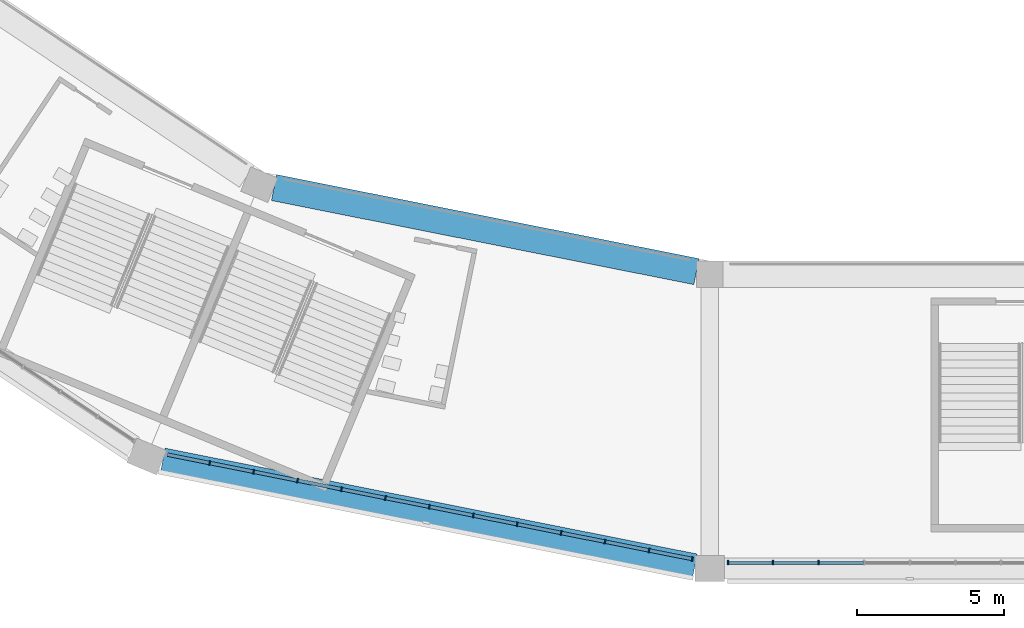
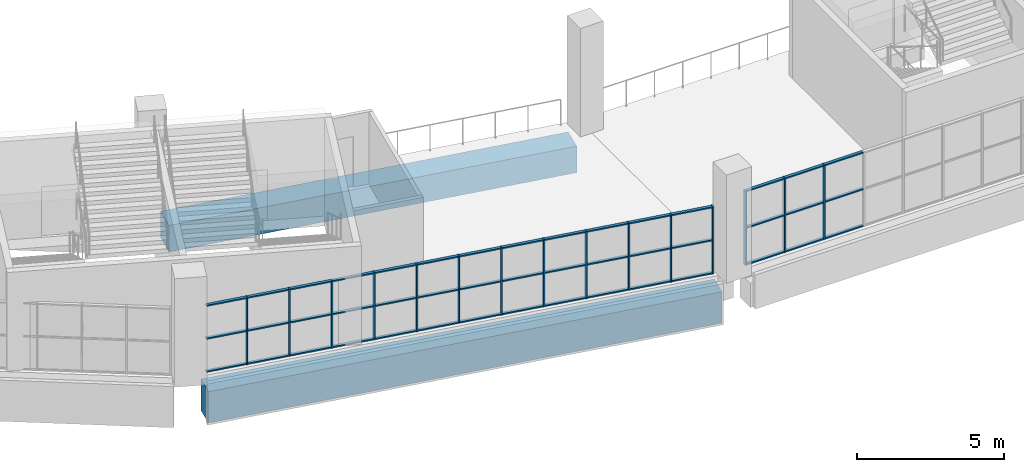
# One storey, part 5 of 177: 60 members, 2 beams, 2 elements without a shape of their own.
"""IFC4 building model written with IfcOpenShell, lengths in metres."""

from ifc_helpers import new_model, si_unit, direction, frame, origin, origin_2d, place, context, subcontext, project, spatial, rectangle, extrude, material, material_profile, profile_set, type_object, element, aggregate, save


model = new_model("IFC4")

# Units and contexts
model_context = context("Model", 3, precision=1e-05, world=origin(), true_north=direction((0.0, 1.0)))
body_context = subcontext(model_context, "Body", "Model", "MODEL_VIEW")
ifc_project = project(units=[si_unit("LENGTHUNIT", "METRE"), si_unit("AREAUNIT", "SQUARE_METRE"), si_unit("VOLUMEUNIT", "CUBIC_METRE"), si_unit("PLANEANGLEUNIT", "RADIAN"), si_unit("MASSUNIT", "GRAM", prefix="KILO")], contexts=[model_context])

# Site, building, storey
site_placement = place(None, origin())
site = spatial("IfcSite", under=ifc_project, at=site_placement, CompositionType="ELEMENT")
building_placement = place(site_placement, origin())
building = spatial("IfcBuilding", under=site, at=building_placement, Name="Ogive Plaza Stadium", CompositionType="ELEMENT")
storey_placement = place(building_placement, frame((0.0, 0.0, 18.0)))
storey = spatial("IfcBuildingStorey", under=building, at=storey_placement, Name="L04", CompositionType="ELEMENT", Elevation=18.0)

# Curtain wall, members
ifc_material_1 = material(Name="Bronze-anodised aluminium with laminated glass", Category="aluminium")
curtain_wall_type = type_object("IfcCurtainWallType", Name="Lancet curtain wall", PredefinedType="NOTDEFINED", material=ifc_material_1)
curtain_wall_1_placement = place(storey_placement, origin())
curtain_wall_1 = element("IfcCurtainWall", 1, at=curtain_wall_1_placement, inside=storey, type_object=curtain_wall_type, Name="CURTAIN WALL B16 L04", PredefinedType="NOTDEFINED")
ifc_material_2 = material(Name="Bronze-anodised aluminium", Category="aluminium")
ifc_material_profile_1 = material_profile(ifc_material_2, rectangle(XDim=0.14990234375, YDim=0.050048828125, at=origin_2d()), Name="AL 150x50")
ifc_profile_set_1 = profile_set([ifc_material_profile_1], Name="Bronze-anodised aluminium")
member_type_1 = type_object("IfcMemberType", Name="Curtain wall mullion 50x150", PredefinedType="MULLION", material=ifc_profile_set_1)
member_1_placement = place(storey_placement, frame((-30.300048828125, -102.300048828125, 0.0), z_axis=(0.0, 0.0, 1.0), x_axis=(0.0, -1.0, 0.0)))
member_1 = element("IfcMember", 2, at=member_1_placement, type_object=member_type_1, Name="CW-B16-L04 mullion 7", PredefinedType="MULLION", context=body_context, shape_type="SweptSolid", body=[
    extrude(rectangle(XDim=0.14990234375, YDim=0.050048828125, at=origin_2d()), origin(), (0.0, 0.0, 1.0), 3.090087890625),
])
member_2_placement = place(storey_placement, frame((-31.85009765625, -102.300048828125, 0.0), z_axis=(0.0, 0.0, 1.0), x_axis=(0.0, -1.0, 0.0)))
member_2 = element("IfcMember", 3, at=member_2_placement, type_object=member_type_1, Name="CW-B16-L04 mullion 8", PredefinedType="MULLION", context=body_context, shape_type="SweptSolid", body=[
    extrude(rectangle(XDim=0.14990234375, YDim=0.050048828125, at=origin_2d()), origin(), (0.0, 0.0, 1.0), 3.090087890625),
])
member_3_placement = place(storey_placement, frame((-33.375, -102.300048828125, 0.0), z_axis=(0.0, 0.0, 1.0), x_axis=(0.0, -1.0, 0.0)))
member_3 = element("IfcMember", 4, at=member_3_placement, type_object=member_type_1, Name="CW-B16-L04 mullion 9", PredefinedType="MULLION", context=body_context, shape_type="SweptSolid", body=[
    extrude(rectangle(XDim=0.14990234375, YDim=0.050048828125, at=origin_2d()), origin(), (0.0, 0.0, 1.0), 3.090087890625),
])

curtain_wall_2_placement = place(storey_placement, origin())
curtain_wall_2 = element("IfcCurtainWall", 5, at=curtain_wall_2_placement, inside=storey, type_object=curtain_wall_type, Name="CURTAIN WALL B17 L04", PredefinedType="NOTDEFINED")
member_4_placement = place(storey_placement, frame((-34.593994140625, -102.177978515625, 0.0), z_axis=(0.0, 0.0, 1.0), x_axis=(-0.195090322033, -0.9807852804, 0.0)))
member_4 = element("IfcMember", 6, at=member_4_placement, type_object=member_type_1, Name="CW-B17-L04 mullion 1", PredefinedType="MULLION", context=body_context, shape_type="SweptSolid", body=[
    extrude(rectangle(XDim=0.14990234375, YDim=0.050048828125, at=origin_2d()), origin(), (0.0, 0.0, 1.0), 2.7900390625),
])
member_5_placement = place(storey_placement, frame((-36.0625, -101.8857421875, 0.0), z_axis=(0.0, 0.0, 1.0), x_axis=(-0.195090322033, -0.9807852804, 0.0)))
member_5 = element("IfcMember", 7, at=member_5_placement, type_object=member_type_1, Name="CW-B17-L04 mullion 2", PredefinedType="MULLION", context=body_context, shape_type="SweptSolid", body=[
    extrude(rectangle(XDim=0.14990234375, YDim=0.050048828125, at=origin_2d()), origin(), (0.0, 0.0, 1.0), 2.7900390625),
])
member_6_placement = place(storey_placement, frame((-37.5556640625, -101.5888671875, 0.0), z_axis=(0.0, 0.0, 1.0), x_axis=(-0.195090322033, -0.9807852804, 0.0)))
member_6 = element("IfcMember", 8, at=member_6_placement, type_object=member_type_1, Name="CW-B17-L04 mullion 3", PredefinedType="MULLION", context=body_context, shape_type="SweptSolid", body=[
    extrude(rectangle(XDim=0.14990234375, YDim=0.050048828125, at=origin_2d()), origin(), (0.0, 0.0, 1.0), 2.7900390625),
])
member_7_placement = place(storey_placement, frame((-39.048828125, -101.291748046875, 0.0), z_axis=(0.0, 0.0, 1.0), x_axis=(-0.195090322033, -0.9807852804, 0.0)))
member_7 = element("IfcMember", 9, at=member_7_placement, type_object=member_type_1, Name="CW-B17-L04 mullion 4", PredefinedType="MULLION", context=body_context, shape_type="SweptSolid", body=[
    extrude(rectangle(XDim=0.14990234375, YDim=0.050048828125, at=origin_2d()), origin(), (0.0, 0.0, 1.0), 2.7900390625),
])
member_8_placement = place(storey_placement, frame((-40.5419921875, -100.994873046875, 0.0), z_axis=(0.0, 0.0, 1.0), x_axis=(-0.195090322033, -0.9807852804, 0.0)))
member_8 = element("IfcMember", 10, at=member_8_placement, type_object=member_type_1, Name="CW-B17-L04 mullion 5", PredefinedType="MULLION", context=body_context, shape_type="SweptSolid", body=[
    extrude(rectangle(XDim=0.14990234375, YDim=0.050048828125, at=origin_2d()), origin(), (0.0, 0.0, 1.0), 2.7900390625),
])
member_9_placement = place(storey_placement, frame((-42.034912109375, -100.69775390625, 0.0), z_axis=(0.0, 0.0, 1.0), x_axis=(-0.195090322033, -0.9807852804, 0.0)))
member_9 = element("IfcMember", 11, at=member_9_placement, type_object=member_type_1, Name="CW-B17-L04 mullion 6", PredefinedType="MULLION", context=body_context, shape_type="SweptSolid", body=[
    extrude(rectangle(XDim=0.14990234375, YDim=0.050048828125, at=origin_2d()), origin(), (0.0, 0.0, 1.0), 2.7900390625),
])
member_10_placement = place(storey_placement, frame((-43.528076171875, -100.40087890625, 0.0), z_axis=(0.0, 0.0, 1.0), x_axis=(-0.195090322033, -0.9807852804, 0.0)))
member_10 = element("IfcMember", 12, at=member_10_placement, type_object=member_type_1, Name="CW-B17-L04 mullion 7", PredefinedType="MULLION", context=body_context, shape_type="SweptSolid", body=[
    extrude(rectangle(XDim=0.14990234375, YDim=0.050048828125, at=origin_2d()), origin(), (0.0, 0.0, 1.0), 2.7900390625),
])
member_11_placement = place(storey_placement, frame((-45.021240234375, -100.103759765625, 0.0), z_axis=(0.0, 0.0, 1.0), x_axis=(-0.195090322033, -0.9807852804, 0.0)))
member_11 = element("IfcMember", 13, at=member_11_placement, type_object=member_type_1, Name="CW-B17-L04 mullion 8", PredefinedType="MULLION", context=body_context, shape_type="SweptSolid", body=[
    extrude(rectangle(XDim=0.14990234375, YDim=0.050048828125, at=origin_2d()), origin(), (0.0, 0.0, 1.0), 2.7900390625),
])
member_12_placement = place(storey_placement, frame((-46.51416015625, -99.806884765625, 0.0), z_axis=(0.0, 0.0, 1.0), x_axis=(-0.195090322033, -0.9807852804, 0.0)))
member_12 = element("IfcMember", 14, at=member_12_placement, type_object=member_type_1, Name="CW-B17-L04 mullion 9", PredefinedType="MULLION", context=body_context, shape_type="SweptSolid", body=[
    extrude(rectangle(XDim=0.14990234375, YDim=0.050048828125, at=origin_2d()), origin(), (0.0, 0.0, 1.0), 2.7900390625),
])
member_13_placement = place(storey_placement, frame((-48.00732421875, -99.509765625, 0.0), z_axis=(0.0, 0.0, 1.0), x_axis=(-0.195090322033, -0.9807852804, 0.0)))
member_13 = element("IfcMember", 15, at=member_13_placement, type_object=member_type_1, Name="CW-B17-L04 mullion 10", PredefinedType="MULLION", context=body_context, shape_type="SweptSolid", body=[
    extrude(rectangle(XDim=0.14990234375, YDim=0.050048828125, at=origin_2d()), origin(), (0.0, 0.0, 1.0), 2.7900390625),
])
member_14_placement = place(storey_placement, frame((-49.50048828125, -99.212890625, 0.0), z_axis=(0.0, 0.0, 1.0), x_axis=(-0.195090322033, -0.9807852804, 0.0)))
member_14 = element("IfcMember", 16, at=member_14_placement, type_object=member_type_1, Name="CW-B17-L04 mullion 11", PredefinedType="MULLION", context=body_context, shape_type="SweptSolid", body=[
    extrude(rectangle(XDim=0.14990234375, YDim=0.050048828125, at=origin_2d()), origin(), (0.0, 0.0, 1.0), 2.7900390625),
])
member_15_placement = place(storey_placement, frame((-50.99365234375, -98.915771484375, 0.0), z_axis=(0.0, 0.0, 1.0), x_axis=(-0.195090322033, -0.9807852804, 0.0)))
member_15 = element("IfcMember", 17, at=member_15_placement, type_object=member_type_1, Name="CW-B17-L04 mullion 12", PredefinedType="MULLION", context=body_context, shape_type="SweptSolid", body=[
    extrude(rectangle(XDim=0.14990234375, YDim=0.050048828125, at=origin_2d()), origin(), (0.0, 0.0, 1.0), 2.7900390625),
])

# Member
ifc_material_3 = material(Name="Bronze-anodised aluminium", Category="aluminium")
ifc_material_profile_2 = material_profile(ifc_material_3, rectangle(XDim=0.1201171875, YDim=0.050048828125, at=origin_2d()), Name="AL 120x50")
ifc_profile_set_2 = profile_set([ifc_material_profile_2], Name="Bronze-anodised aluminium")
member_type_2 = type_object("IfcMemberType", Name="Curtain wall transom 50x120", PredefinedType="USERDEFINED", material=ifc_profile_set_2)
member_16_placement = place(storey_placement, frame((-28.77490234375, -102.300048828125, 0.02490234375), z_axis=(-1.0, 0.0, 0.0), x_axis=(0.0, -1.0, 0.0)))
member_16 = element("IfcMember", 18, at=member_16_placement, type_object=member_type_2, Name="CW-B16-L04 transom 6.1", ObjectType="TRANSOM", PredefinedType="USERDEFINED", context=body_context, shape_type="SweptSolid", body=[
    extrude(rectangle(XDim=0.1201171875, YDim=0.050048828125, at=origin_2d()), origin(), (0.0, 0.0, 1.0), 1.5),
])

member_17_placement = place(storey_placement, frame((-28.77490234375, -102.300048828125, 1.544921875), z_axis=(-1.0, 0.0, 0.0), x_axis=(0.0, -1.0, 0.0)))
member_17 = element("IfcMember", 19, at=member_17_placement, type_object=member_type_2, Name="CW-B16-L04 transom 6.2", ObjectType="TRANSOM", PredefinedType="USERDEFINED", context=body_context, shape_type="SweptSolid", body=[
    extrude(rectangle(XDim=0.1201171875, YDim=0.050048828125, at=origin_2d()), origin(), (0.0, 0.0, 1.0), 1.5),
])

member_18_placement = place(storey_placement, frame((-28.77490234375, -102.300048828125, 3.06494140625), z_axis=(-1.0, 0.0, 0.0), x_axis=(0.0, -1.0, 0.0)))
member_18 = element("IfcMember", 20, at=member_18_placement, type_object=member_type_2, Name="CW-B16-L04 transom 6.3", ObjectType="TRANSOM", PredefinedType="USERDEFINED", context=body_context, shape_type="SweptSolid", body=[
    extrude(rectangle(XDim=0.1201171875, YDim=0.050048828125, at=origin_2d()), origin(), (0.0, 0.0, 1.0), 1.5),
])

member_19_placement = place(storey_placement, frame((-30.324951171875, -102.300048828125, 0.02490234375), z_axis=(-1.0, 0.0, 0.0), x_axis=(0.0, -1.0, 0.0)))
member_19 = element("IfcMember", 21, at=member_19_placement, type_object=member_type_2, Name="CW-B16-L04 transom 7.1", ObjectType="TRANSOM", PredefinedType="USERDEFINED", context=body_context, shape_type="SweptSolid", body=[
    extrude(rectangle(XDim=0.1201171875, YDim=0.050048828125, at=origin_2d()), origin(), (0.0, 0.0, 1.0), 1.5),
])

member_20_placement = place(storey_placement, frame((-30.324951171875, -102.300048828125, 1.544921875), z_axis=(-1.0, 0.0, 0.0), x_axis=(0.0, -1.0, 0.0)))
member_20 = element("IfcMember", 22, at=member_20_placement, type_object=member_type_2, Name="CW-B16-L04 transom 7.2", ObjectType="TRANSOM", PredefinedType="USERDEFINED", context=body_context, shape_type="SweptSolid", body=[
    extrude(rectangle(XDim=0.1201171875, YDim=0.050048828125, at=origin_2d()), origin(), (0.0, 0.0, 1.0), 1.5),
])

member_21_placement = place(storey_placement, frame((-30.324951171875, -102.300048828125, 3.06494140625), z_axis=(-1.0, 0.0, 0.0), x_axis=(0.0, -1.0, 0.0)))
member_21 = element("IfcMember", 23, at=member_21_placement, type_object=member_type_2, Name="CW-B16-L04 transom 7.3", ObjectType="TRANSOM", PredefinedType="USERDEFINED", context=body_context, shape_type="SweptSolid", body=[
    extrude(rectangle(XDim=0.1201171875, YDim=0.050048828125, at=origin_2d()), origin(), (0.0, 0.0, 1.0), 1.5),
])

member_22_placement = place(storey_placement, frame((-31.875, -102.300048828125, 0.02490234375), z_axis=(-1.0, 0.0, 0.0), x_axis=(0.0, -1.0, 0.0)))
member_22 = element("IfcMember", 24, at=member_22_placement, type_object=member_type_2, Name="CW-B16-L04 transom 8.1", ObjectType="TRANSOM", PredefinedType="USERDEFINED", context=body_context, shape_type="SweptSolid", body=[
    extrude(rectangle(XDim=0.1201171875, YDim=0.050048828125, at=origin_2d()), origin(), (0.0, 0.0, 1.0), 1.47509765625),
])

member_23_placement = place(storey_placement, frame((-31.875, -102.300048828125, 1.544921875), z_axis=(-1.0, 0.0, 0.0), x_axis=(0.0, -1.0, 0.0)))
member_23 = element("IfcMember", 25, at=member_23_placement, type_object=member_type_2, Name="CW-B16-L04 transom 8.2", ObjectType="TRANSOM", PredefinedType="USERDEFINED", context=body_context, shape_type="SweptSolid", body=[
    extrude(rectangle(XDim=0.1201171875, YDim=0.050048828125, at=origin_2d()), origin(), (0.0, 0.0, 1.0), 1.47509765625),
])

member_24_placement = place(storey_placement, frame((-31.875, -102.300048828125, 3.06494140625), z_axis=(-1.0, 0.0, 0.0), x_axis=(0.0, -1.0, 0.0)))
member_24 = element("IfcMember", 26, at=member_24_placement, type_object=member_type_2, Name="CW-B16-L04 transom 8.3", ObjectType="TRANSOM", PredefinedType="USERDEFINED", context=body_context, shape_type="SweptSolid", body=[
    extrude(rectangle(XDim=0.1201171875, YDim=0.050048828125, at=origin_2d()), origin(), (0.0, 0.0, 1.0), 1.47509765625),
])

aggregate(curtain_wall_1, [member_1, member_2, member_3, member_16, member_17, member_18, member_19, member_20, member_21, member_22, member_23, member_24])

member_25_placement = place(storey_placement, frame((-34.61865234375, -102.173095703125, 0.02490234375), z_axis=(-0.980768379534, 0.195175269199, 0.0), x_axis=(-0.195175269199, -0.980768379534, 0.0)))
member_25 = element("IfcMember", 27, at=member_25_placement, type_object=member_type_2, Name="CW-B17-L04 transom 1.1", ObjectType="TRANSOM", PredefinedType="USERDEFINED", context=body_context, shape_type="SweptSolid", body=[
    extrude(rectangle(XDim=0.1201171875, YDim=0.050048828125, at=origin_2d()), origin(), (0.0, 0.0, 1.0), 1.447265625),
])

member_26_placement = place(storey_placement, frame((-34.61865234375, -102.173095703125, 1.39501953125), z_axis=(-0.980768379534, 0.195175269199, 0.0), x_axis=(-0.195175269199, -0.980768379534, 0.0)))
member_26 = element("IfcMember", 28, at=member_26_placement, type_object=member_type_2, Name="CW-B17-L04 transom 1.2", ObjectType="TRANSOM", PredefinedType="USERDEFINED", context=body_context, shape_type="SweptSolid", body=[
    extrude(rectangle(XDim=0.1201171875, YDim=0.050048828125, at=origin_2d()), origin(), (0.0, 0.0, 1.0), 1.447265625),
])

member_27_placement = place(storey_placement, frame((-34.61865234375, -102.173095703125, 2.764892578125), z_axis=(-0.980768379534, 0.195175269199, 0.0), x_axis=(-0.195175269199, -0.980768379534, 0.0)))
member_27 = element("IfcMember", 29, at=member_27_placement, type_object=member_type_2, Name="CW-B17-L04 transom 1.3", ObjectType="TRANSOM", PredefinedType="USERDEFINED", context=body_context, shape_type="SweptSolid", body=[
    extrude(rectangle(XDim=0.1201171875, YDim=0.050048828125, at=origin_2d()), origin(), (0.0, 0.0, 1.0), 1.447265625),
])

member_28_placement = place(storey_placement, frame((-36.087158203125, -101.880859375, 0.02490234375), z_axis=(-0.980803254763, 0.194999937042, 0.0), x_axis=(-0.194999937042, -0.980803254763, 0.0)))
member_28 = element("IfcMember", 30, at=member_28_placement, type_object=member_type_2, Name="CW-B17-L04 transom 2.1", ObjectType="TRANSOM", PredefinedType="USERDEFINED", context=body_context, shape_type="SweptSolid", body=[
    extrude(rectangle(XDim=0.1201171875, YDim=0.050048828125, at=origin_2d()), origin(), (0.0, 0.0, 1.0), 1.472412109375),
])

member_29_placement = place(storey_placement, frame((-36.087158203125, -101.880859375, 1.39501953125), z_axis=(-0.980803254763, 0.194999937042, 0.0), x_axis=(-0.194999937042, -0.980803254763, 0.0)))
member_29 = element("IfcMember", 31, at=member_29_placement, type_object=member_type_2, Name="CW-B17-L04 transom 2.2", ObjectType="TRANSOM", PredefinedType="USERDEFINED", context=body_context, shape_type="SweptSolid", body=[
    extrude(rectangle(XDim=0.1201171875, YDim=0.050048828125, at=origin_2d()), origin(), (0.0, 0.0, 1.0), 1.472412109375),
])

member_30_placement = place(storey_placement, frame((-36.087158203125, -101.880859375, 2.764892578125), z_axis=(-0.980803254763, 0.194999937042, 0.0), x_axis=(-0.194999937042, -0.980803254763, 0.0)))
member_30 = element("IfcMember", 32, at=member_30_placement, type_object=member_type_2, Name="CW-B17-L04 transom 2.3", ObjectType="TRANSOM", PredefinedType="USERDEFINED", context=body_context, shape_type="SweptSolid", body=[
    extrude(rectangle(XDim=0.1201171875, YDim=0.050048828125, at=origin_2d()), origin(), (0.0, 0.0, 1.0), 1.472412109375),
])

member_31_placement = place(storey_placement, frame((-37.580322265625, -101.583984375, 0.02490234375), z_axis=(-0.980765212551, 0.195191182816, 0.0), x_axis=(-0.195191182816, -0.980765212551, 0.0)))
member_31 = element("IfcMember", 33, at=member_31_placement, type_object=member_type_2, Name="CW-B17-L04 transom 3.1", ObjectType="TRANSOM", PredefinedType="USERDEFINED", context=body_context, shape_type="SweptSolid", body=[
    extrude(rectangle(XDim=0.1201171875, YDim=0.050048828125, at=origin_2d()), origin(), (0.0, 0.0, 1.0), 1.47216796875),
])

member_32_placement = place(storey_placement, frame((-37.580322265625, -101.583984375, 1.39501953125), z_axis=(-0.980765212551, 0.195191182816, 0.0), x_axis=(-0.195191182816, -0.980765212551, 0.0)))
member_32 = element("IfcMember", 34, at=member_32_placement, type_object=member_type_2, Name="CW-B17-L04 transom 3.2", ObjectType="TRANSOM", PredefinedType="USERDEFINED", context=body_context, shape_type="SweptSolid", body=[
    extrude(rectangle(XDim=0.1201171875, YDim=0.050048828125, at=origin_2d()), origin(), (0.0, 0.0, 1.0), 1.47216796875),
])

member_33_placement = place(storey_placement, frame((-37.580322265625, -101.583984375, 2.764892578125), z_axis=(-0.980765212551, 0.195191182816, 0.0), x_axis=(-0.195191182816, -0.980765212551, 0.0)))
member_33 = element("IfcMember", 35, at=member_33_placement, type_object=member_type_2, Name="CW-B17-L04 transom 3.3", ObjectType="TRANSOM", PredefinedType="USERDEFINED", context=body_context, shape_type="SweptSolid", body=[
    extrude(rectangle(XDim=0.1201171875, YDim=0.050048828125, at=origin_2d()), origin(), (0.0, 0.0, 1.0), 1.47216796875),
])

member_34_placement = place(storey_placement, frame((-39.0732421875, -101.286865234375, 0.02490234375), z_axis=(-0.980803254763, 0.194999937042, 0.0), x_axis=(-0.194999937042, -0.980803254763, 0.0)))
member_34 = element("IfcMember", 36, at=member_34_placement, type_object=member_type_2, Name="CW-B17-L04 transom 4.1", ObjectType="TRANSOM", PredefinedType="USERDEFINED", context=body_context, shape_type="SweptSolid", body=[
    extrude(rectangle(XDim=0.1201171875, YDim=0.050048828125, at=origin_2d()), origin(), (0.0, 0.0, 1.0), 1.472412109375),
])

member_35_placement = place(storey_placement, frame((-39.0732421875, -101.286865234375, 1.39501953125), z_axis=(-0.980803254763, 0.194999937042, 0.0), x_axis=(-0.194999937042, -0.980803254763, 0.0)))
member_35 = element("IfcMember", 37, at=member_35_placement, type_object=member_type_2, Name="CW-B17-L04 transom 4.2", ObjectType="TRANSOM", PredefinedType="USERDEFINED", context=body_context, shape_type="SweptSolid", body=[
    extrude(rectangle(XDim=0.1201171875, YDim=0.050048828125, at=origin_2d()), origin(), (0.0, 0.0, 1.0), 1.472412109375),
])

member_36_placement = place(storey_placement, frame((-39.0732421875, -101.286865234375, 2.764892578125), z_axis=(-0.980803254763, 0.194999937042, 0.0), x_axis=(-0.194999937042, -0.980803254763, 0.0)))
member_36 = element("IfcMember", 38, at=member_36_placement, type_object=member_type_2, Name="CW-B17-L04 transom 4.3", ObjectType="TRANSOM", PredefinedType="USERDEFINED", context=body_context, shape_type="SweptSolid", body=[
    extrude(rectangle(XDim=0.1201171875, YDim=0.050048828125, at=origin_2d()), origin(), (0.0, 0.0, 1.0), 1.472412109375),
])

member_37_placement = place(storey_placement, frame((-40.56640625, -100.989990234375, 0.02490234375), z_axis=(-0.980771529367, 0.195159440417, 0.0), x_axis=(-0.195159440417, -0.980771529367, 0.0)))
member_37 = element("IfcMember", 39, at=member_37_placement, type_object=member_type_2, Name="CW-B17-L04 transom 5.1", ObjectType="TRANSOM", PredefinedType="USERDEFINED", context=body_context, shape_type="SweptSolid", body=[
    extrude(rectangle(XDim=0.1201171875, YDim=0.050048828125, at=origin_2d()), origin(), (0.0, 0.0, 1.0), 1.472412109375),
])

member_38_placement = place(storey_placement, frame((-40.56640625, -100.989990234375, 1.39501953125), z_axis=(-0.980771529367, 0.195159440417, 0.0), x_axis=(-0.195159440417, -0.980771529367, 0.0)))
member_38 = element("IfcMember", 40, at=member_38_placement, type_object=member_type_2, Name="CW-B17-L04 transom 5.2", ObjectType="TRANSOM", PredefinedType="USERDEFINED", context=body_context, shape_type="SweptSolid", body=[
    extrude(rectangle(XDim=0.1201171875, YDim=0.050048828125, at=origin_2d()), origin(), (0.0, 0.0, 1.0), 1.472412109375),
])

member_39_placement = place(storey_placement, frame((-40.56640625, -100.989990234375, 2.764892578125), z_axis=(-0.980771529367, 0.195159440417, 0.0), x_axis=(-0.195159440417, -0.980771529367, 0.0)))
member_39 = element("IfcMember", 41, at=member_39_placement, type_object=member_type_2, Name="CW-B17-L04 transom 5.3", ObjectType="TRANSOM", PredefinedType="USERDEFINED", context=body_context, shape_type="SweptSolid", body=[
    extrude(rectangle(XDim=0.1201171875, YDim=0.050048828125, at=origin_2d()), origin(), (0.0, 0.0, 1.0), 1.472412109375),
])

member_40_placement = place(storey_placement, frame((-42.0595703125, -100.69287109375, 0.02490234375), z_axis=(-0.980803254763, 0.194999937042, 0.0), x_axis=(-0.194999937042, -0.980803254763, 0.0)))
member_40 = element("IfcMember", 42, at=member_40_placement, type_object=member_type_2, Name="CW-B17-L04 transom 6.1", ObjectType="TRANSOM", PredefinedType="USERDEFINED", context=body_context, shape_type="SweptSolid", body=[
    extrude(rectangle(XDim=0.1201171875, YDim=0.050048828125, at=origin_2d()), origin(), (0.0, 0.0, 1.0), 1.472412109375),
])

member_41_placement = place(storey_placement, frame((-42.0595703125, -100.69287109375, 1.39501953125), z_axis=(-0.980803254763, 0.194999937042, 0.0), x_axis=(-0.194999937042, -0.980803254763, 0.0)))
member_41 = element("IfcMember", 43, at=member_41_placement, type_object=member_type_2, Name="CW-B17-L04 transom 6.2", ObjectType="TRANSOM", PredefinedType="USERDEFINED", context=body_context, shape_type="SweptSolid", body=[
    extrude(rectangle(XDim=0.1201171875, YDim=0.050048828125, at=origin_2d()), origin(), (0.0, 0.0, 1.0), 1.472412109375),
])

member_42_placement = place(storey_placement, frame((-42.0595703125, -100.69287109375, 2.764892578125), z_axis=(-0.980803254763, 0.194999937042, 0.0), x_axis=(-0.194999937042, -0.980803254763, 0.0)))
member_42 = element("IfcMember", 44, at=member_42_placement, type_object=member_type_2, Name="CW-B17-L04 transom 6.3", ObjectType="TRANSOM", PredefinedType="USERDEFINED", context=body_context, shape_type="SweptSolid", body=[
    extrude(rectangle(XDim=0.1201171875, YDim=0.050048828125, at=origin_2d()), origin(), (0.0, 0.0, 1.0), 1.472412109375),
])

member_43_placement = place(storey_placement, frame((-43.552490234375, -100.39599609375, 0.02490234375), z_axis=(-0.980771529367, 0.195159440417, 0.0), x_axis=(-0.195159440417, -0.980771529367, 0.0)))
member_43 = element("IfcMember", 45, at=member_43_placement, type_object=member_type_2, Name="CW-B17-L04 transom 7.1", ObjectType="TRANSOM", PredefinedType="USERDEFINED", context=body_context, shape_type="SweptSolid", body=[
    extrude(rectangle(XDim=0.1201171875, YDim=0.050048828125, at=origin_2d()), origin(), (0.0, 0.0, 1.0), 1.472412109375),
])

member_44_placement = place(storey_placement, frame((-43.552490234375, -100.39599609375, 1.39501953125), z_axis=(-0.980771529367, 0.195159440417, 0.0), x_axis=(-0.195159440417, -0.980771529367, 0.0)))
member_44 = element("IfcMember", 46, at=member_44_placement, type_object=member_type_2, Name="CW-B17-L04 transom 7.2", ObjectType="TRANSOM", PredefinedType="USERDEFINED", context=body_context, shape_type="SweptSolid", body=[
    extrude(rectangle(XDim=0.1201171875, YDim=0.050048828125, at=origin_2d()), origin(), (0.0, 0.0, 1.0), 1.472412109375),
])

member_45_placement = place(storey_placement, frame((-43.552490234375, -100.39599609375, 2.764892578125), z_axis=(-0.980771529367, 0.195159440417, 0.0), x_axis=(-0.195159440417, -0.980771529367, 0.0)))
member_45 = element("IfcMember", 47, at=member_45_placement, type_object=member_type_2, Name="CW-B17-L04 transom 7.3", ObjectType="TRANSOM", PredefinedType="USERDEFINED", context=body_context, shape_type="SweptSolid", body=[
    extrude(rectangle(XDim=0.1201171875, YDim=0.050048828125, at=origin_2d()), origin(), (0.0, 0.0, 1.0), 1.472412109375),
])

member_46_placement = place(storey_placement, frame((-45.045654296875, -100.098876953125, 0.02490234375), z_axis=(-0.980803254763, 0.194999937042, 0.0), x_axis=(-0.194999937042, -0.980803254763, 0.0)))
member_46 = element("IfcMember", 48, at=member_46_placement, type_object=member_type_2, Name="CW-B17-L04 transom 8.1", ObjectType="TRANSOM", PredefinedType="USERDEFINED", context=body_context, shape_type="SweptSolid", body=[
    extrude(rectangle(XDim=0.1201171875, YDim=0.050048828125, at=origin_2d()), origin(), (0.0, 0.0, 1.0), 1.472412109375),
])

member_47_placement = place(storey_placement, frame((-45.045654296875, -100.098876953125, 1.39501953125), z_axis=(-0.980803254763, 0.194999937042, 0.0), x_axis=(-0.194999937042, -0.980803254763, 0.0)))
member_47 = element("IfcMember", 49, at=member_47_placement, type_object=member_type_2, Name="CW-B17-L04 transom 8.2", ObjectType="TRANSOM", PredefinedType="USERDEFINED", context=body_context, shape_type="SweptSolid", body=[
    extrude(rectangle(XDim=0.1201171875, YDim=0.050048828125, at=origin_2d()), origin(), (0.0, 0.0, 1.0), 1.472412109375),
])

member_48_placement = place(storey_placement, frame((-45.045654296875, -100.098876953125, 2.764892578125), z_axis=(-0.980803254763, 0.194999937042, 0.0), x_axis=(-0.194999937042, -0.980803254763, 0.0)))
member_48 = element("IfcMember", 50, at=member_48_placement, type_object=member_type_2, Name="CW-B17-L04 transom 8.3", ObjectType="TRANSOM", PredefinedType="USERDEFINED", context=body_context, shape_type="SweptSolid", body=[
    extrude(rectangle(XDim=0.1201171875, YDim=0.050048828125, at=origin_2d()), origin(), (0.0, 0.0, 1.0), 1.472412109375),
])

member_49_placement = place(storey_placement, frame((-46.538818359375, -99.802001953125, 0.02490234375), z_axis=(-0.980771529367, 0.195159440417, 0.0), x_axis=(-0.195159440417, -0.980771529367, 0.0)))
member_49 = element("IfcMember", 51, at=member_49_placement, type_object=member_type_2, Name="CW-B17-L04 transom 9.1", ObjectType="TRANSOM", PredefinedType="USERDEFINED", context=body_context, shape_type="SweptSolid", body=[
    extrude(rectangle(XDim=0.1201171875, YDim=0.050048828125, at=origin_2d()), origin(), (0.0, 0.0, 1.0), 1.472412109375),
])

member_50_placement = place(storey_placement, frame((-46.538818359375, -99.802001953125, 1.39501953125), z_axis=(-0.980771529367, 0.195159440417, 0.0), x_axis=(-0.195159440417, -0.980771529367, 0.0)))
member_50 = element("IfcMember", 52, at=member_50_placement, type_object=member_type_2, Name="CW-B17-L04 transom 9.2", ObjectType="TRANSOM", PredefinedType="USERDEFINED", context=body_context, shape_type="SweptSolid", body=[
    extrude(rectangle(XDim=0.1201171875, YDim=0.050048828125, at=origin_2d()), origin(), (0.0, 0.0, 1.0), 1.472412109375),
])

member_51_placement = place(storey_placement, frame((-46.538818359375, -99.802001953125, 2.764892578125), z_axis=(-0.980771529367, 0.195159440417, 0.0), x_axis=(-0.195159440417, -0.980771529367, 0.0)))
member_51 = element("IfcMember", 53, at=member_51_placement, type_object=member_type_2, Name="CW-B17-L04 transom 9.3", ObjectType="TRANSOM", PredefinedType="USERDEFINED", context=body_context, shape_type="SweptSolid", body=[
    extrude(rectangle(XDim=0.1201171875, YDim=0.050048828125, at=origin_2d()), origin(), (0.0, 0.0, 1.0), 1.472412109375),
])

member_52_placement = place(storey_placement, frame((-48.031982421875, -99.5048828125, 0.02490234375), z_axis=(-0.980796948065, 0.19503165555, 0.0), x_axis=(-0.19503165555, -0.980796948065, 0.0)))
member_52 = element("IfcMember", 54, at=member_52_placement, type_object=member_type_2, Name="CW-B17-L04 transom 10.1", ObjectType="TRANSOM", PredefinedType="USERDEFINED", context=body_context, shape_type="SweptSolid", body=[
    extrude(rectangle(XDim=0.1201171875, YDim=0.050048828125, at=origin_2d()), origin(), (0.0, 0.0, 1.0), 1.47216796875),
])

member_53_placement = place(storey_placement, frame((-48.031982421875, -99.5048828125, 1.39501953125), z_axis=(-0.980796948065, 0.19503165555, 0.0), x_axis=(-0.19503165555, -0.980796948065, 0.0)))
member_53 = element("IfcMember", 55, at=member_53_placement, type_object=member_type_2, Name="CW-B17-L04 transom 10.2", ObjectType="TRANSOM", PredefinedType="USERDEFINED", context=body_context, shape_type="SweptSolid", body=[
    extrude(rectangle(XDim=0.1201171875, YDim=0.050048828125, at=origin_2d()), origin(), (0.0, 0.0, 1.0), 1.47216796875),
])

member_54_placement = place(storey_placement, frame((-48.031982421875, -99.5048828125, 2.764892578125), z_axis=(-0.980796948065, 0.19503165555, 0.0), x_axis=(-0.19503165555, -0.980796948065, 0.0)))
member_54 = element("IfcMember", 56, at=member_54_placement, type_object=member_type_2, Name="CW-B17-L04 transom 10.3", ObjectType="TRANSOM", PredefinedType="USERDEFINED", context=body_context, shape_type="SweptSolid", body=[
    extrude(rectangle(XDim=0.1201171875, YDim=0.050048828125, at=origin_2d()), origin(), (0.0, 0.0, 1.0), 1.47216796875),
])

member_55_placement = place(storey_placement, frame((-49.52490234375, -99.2080078125, 0.02490234375), z_axis=(-0.980771529367, 0.195159440417, 0.0), x_axis=(-0.195159440417, -0.980771529367, 0.0)))
member_55 = element("IfcMember", 57, at=member_55_placement, type_object=member_type_2, Name="CW-B17-L04 transom 11.1", ObjectType="TRANSOM", PredefinedType="USERDEFINED", context=body_context, shape_type="SweptSolid", body=[
    extrude(rectangle(XDim=0.1201171875, YDim=0.050048828125, at=origin_2d()), origin(), (0.0, 0.0, 1.0), 1.472412109375),
])

member_56_placement = place(storey_placement, frame((-49.52490234375, -99.2080078125, 1.39501953125), z_axis=(-0.980771529367, 0.195159440417, 0.0), x_axis=(-0.195159440417, -0.980771529367, 0.0)))
member_56 = element("IfcMember", 58, at=member_56_placement, type_object=member_type_2, Name="CW-B17-L04 transom 11.2", ObjectType="TRANSOM", PredefinedType="USERDEFINED", context=body_context, shape_type="SweptSolid", body=[
    extrude(rectangle(XDim=0.1201171875, YDim=0.050048828125, at=origin_2d()), origin(), (0.0, 0.0, 1.0), 1.472412109375),
])

member_57_placement = place(storey_placement, frame((-49.52490234375, -99.2080078125, 2.764892578125), z_axis=(-0.980771529367, 0.195159440417, 0.0), x_axis=(-0.195159440417, -0.980771529367, 0.0)))
member_57 = element("IfcMember", 59, at=member_57_placement, type_object=member_type_2, Name="CW-B17-L04 transom 11.3", ObjectType="TRANSOM", PredefinedType="USERDEFINED", context=body_context, shape_type="SweptSolid", body=[
    extrude(rectangle(XDim=0.1201171875, YDim=0.050048828125, at=origin_2d()), origin(), (0.0, 0.0, 1.0), 1.472412109375),
])

member_58_placement = place(storey_placement, frame((-51.01806640625, -98.910888671875, 0.02490234375), z_axis=(-0.98080065826, 0.195012996379, 0.0), x_axis=(-0.195012996379, -0.98080065826, 0.0)))
member_58 = element("IfcMember", 60, at=member_58_placement, type_object=member_type_2, Name="CW-B17-L04 transom 12.1", ObjectType="TRANSOM", PredefinedType="USERDEFINED", context=body_context, shape_type="SweptSolid", body=[
    extrude(rectangle(XDim=0.1201171875, YDim=0.050048828125, at=origin_2d()), origin(), (0.0, 0.0, 1.0), 1.447265625),
])

member_59_placement = place(storey_placement, frame((-51.01806640625, -98.910888671875, 1.39501953125), z_axis=(-0.98080065826, 0.195012996379, 0.0), x_axis=(-0.195012996379, -0.98080065826, 0.0)))
member_59 = element("IfcMember", 61, at=member_59_placement, type_object=member_type_2, Name="CW-B17-L04 transom 12.2", ObjectType="TRANSOM", PredefinedType="USERDEFINED", context=body_context, shape_type="SweptSolid", body=[
    extrude(rectangle(XDim=0.1201171875, YDim=0.050048828125, at=origin_2d()), origin(), (0.0, 0.0, 1.0), 1.447265625),
])

member_60_placement = place(storey_placement, frame((-51.01806640625, -98.910888671875, 2.764892578125), z_axis=(-0.98080065826, 0.195012996379, 0.0), x_axis=(-0.195012996379, -0.98080065826, 0.0)))
member_60 = element("IfcMember", 62, at=member_60_placement, type_object=member_type_2, Name="CW-B17-L04 transom 12.3", ObjectType="TRANSOM", PredefinedType="USERDEFINED", context=body_context, shape_type="SweptSolid", body=[
    extrude(rectangle(XDim=0.1201171875, YDim=0.050048828125, at=origin_2d()), origin(), (0.0, 0.0, 1.0), 1.447265625),
])

aggregate(curtain_wall_2, [member_4, member_5, member_6, member_7, member_8, member_9, member_10, member_11, member_12, member_13, member_14, member_15, member_25, member_26, member_27, member_28, member_29, member_30, member_31, member_32, member_33, member_34, member_35, member_36, member_37, member_38, member_39, member_40, member_41, member_42, member_43, member_44, member_45, member_46, member_47, member_48, member_49, member_50, member_51, member_52, member_53, member_54, member_55, member_56, member_57, member_58, member_59, member_60])

# Beams
ifc_material_4 = material(Name="Concrete C40/50", Category="concrete")
ifc_material_profile_3 = material_profile(ifc_material_4, rectangle(XDim=0.89990234375, YDim=1.10009765625, at=origin_2d()), Name="RC 900x1100")
ifc_profile_set_3 = profile_set([ifc_material_profile_3], Name="Concrete C40/50")
beam_type_1 = type_object("IfcBeamType", Name="RC ring beam 900x1100", PredefinedType="BEAM", material=ifc_profile_set_3)
beam_1_placement = place(storey_placement, frame((-34.449951171875, -92.410400390625, -0.9599609375), z_axis=(-0.980787317906, 0.195080078519, 0.0), x_axis=(-0.195080078519, -0.980787317906, 0.0)))
element("IfcBeam", 63, at=beam_1_placement, inside=storey, type_object=beam_type_1, Name="Ring beam F4 L04 B17", PredefinedType="BEAM", context=body_context, shape_type="SweptSolid", body=[
    extrude(rectangle(XDim=0.89990234375, YDim=1.10009765625, at=origin_2d()), origin(), (0.0, 0.0, 1.0), 14.638671875),
])
ifc_material_5 = material(Name="Concrete C40/50", Category="concrete")
ifc_material_profile_4 = material_profile(ifc_material_5, rectangle(XDim=0.800048828125, YDim=1.300048828125, at=origin_2d()), Name="RC 800x1300")
ifc_profile_set_4 = profile_set([ifc_material_profile_4], Name="Concrete C40/50")
beam_type_2 = type_object("IfcBeamType", Name="RC spandrel beam 800x1300", PredefinedType="SPANDREL", material=ifc_profile_set_4)
beam_2_placement = place(storey_placement, frame((-34.5, -102.400634765625, -1.06005859375), z_axis=(-0.980785371075, 0.195089866178, 0.0), x_axis=(-0.195089866178, -0.980785371075, 0.0)))
element("IfcBeam", 64, at=beam_2_placement, inside=storey, type_object=beam_type_2, Name="Ring beam F5 L04 B17", PredefinedType="SPANDREL", context=body_context, shape_type="SweptSolid", body=[
    extrude(rectangle(XDim=0.800048828125, YDim=1.300048828125, at=origin_2d()), origin(), (0.0, 0.0, 1.0), 18.4384765625),
])

save(model, "model.ifc")
